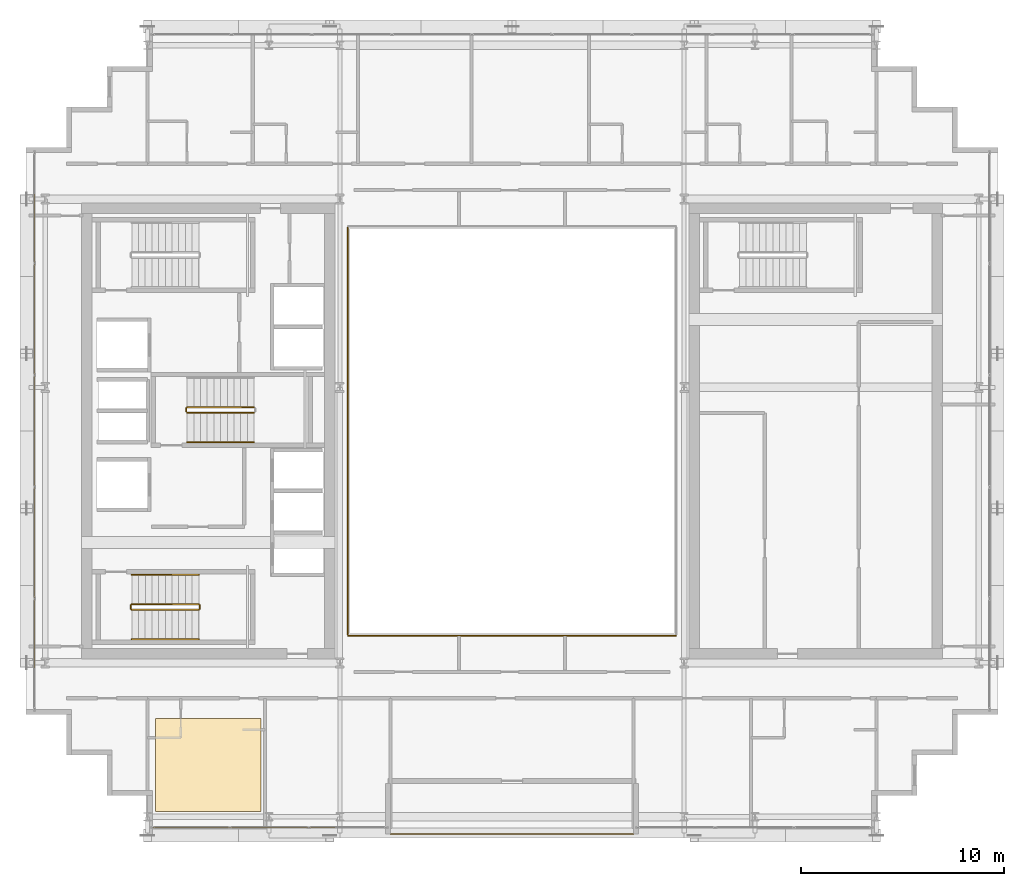
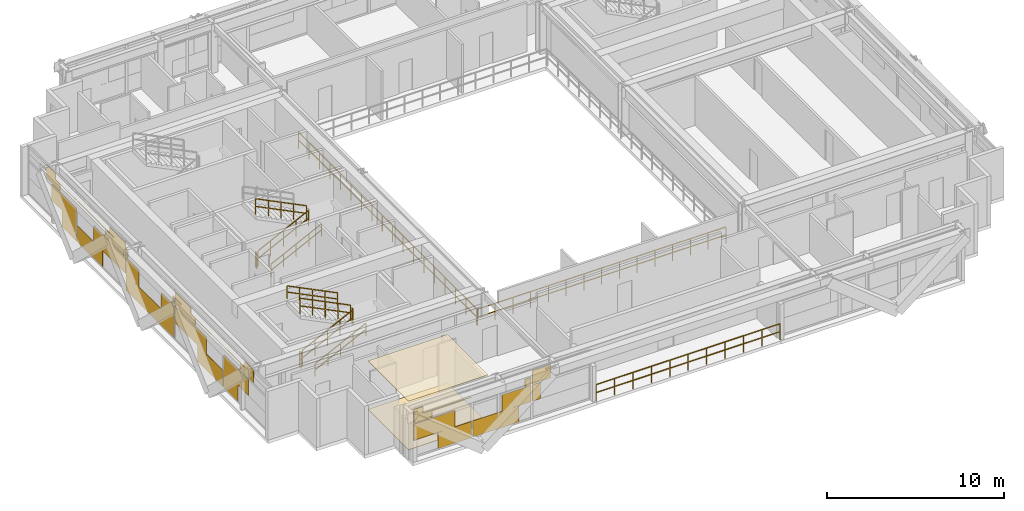
# One storey, part 29 of 32: 13 railings, 4 coverings.
"""IFC4 building model written with IfcOpenShell, lengths in metres."""

import ifcopenshell
import ifcopenshell.guid

model = None  # the IFC model being written
_history = None  # IfcOwnerHistory: only IFC2X3 demands one
_inside = {}  # id of a spatial element -> (the spatial element, [elements in it])
_under = {}  # id of a project, library or spatial element -> (it, [spatial elements below it])
_declared = {}  # id of a project -> (the project, [libraries it declares])
_typed = {}  # id of a type object -> (the type object, [elements of that type])
_made_of = {}  # id of a material, layer set ... -> (it, [elements and type objects made of it])


def new_model(schema):
    """Start an empty IFC model of exactly this schema.

    Asked for "IFC4X3", IfcOpenShell would pick the latest addendum, in which some entities
    have other attributes; the version numbers below select the first issue.
    IFC2X3 requires an IfcOwnerHistory on every rooted entity: one is made here for all.
    """
    global model, _history
    if schema == "IFC4X3":
        model = ifcopenshell.file(schema_version=(4, 3, 0, 0))
    else:
        model = ifcopenshell.file(schema=schema)
    _inside.clear()
    _under.clear()
    _declared.clear()
    _typed.clear()
    _made_of.clear()
    _history = None
    if model.schema == "IFC2X3":
        org = make("IfcOrganization", Name="unknown")
        user = make(
            "IfcPersonAndOrganization",
            ThePerson=make("IfcPerson", FamilyName="unknown"),
            TheOrganization=org,
        )
        app = make(
            "IfcApplication",
            ApplicationDeveloper=org,
            Version="unknown",
            ApplicationFullName="unknown",
            ApplicationIdentifier="unknown",
        )
        _history = make(
            "IfcOwnerHistory",
            OwningUser=user,
            OwningApplication=app,
            ChangeAction="ADDED",
            CreationDate=0,
        )
    return model


def make(cls, **values):
    """One entity of the class cls with the attributes given. An attribute that is None is left unset."""
    return model.create_entity(
        cls, **{name: value for name, value in values.items() if value is not None}
    )


def rooted(cls, **values):
    """An entity with a GlobalId (a new one), such as an element, a storey or a relation."""
    return make(cls, GlobalId=ifcopenshell.guid.new(), OwnerHistory=_history, **values)


def si_unit(unit_type, name, prefix=None):
    """IfcSIUnit, for example si_unit("LENGTHUNIT", "METRE", prefix="MILLI")."""
    return make("IfcSIUnit", UnitType=unit_type, Prefix=prefix, Name=name)


def assignment(units):
    """IfcUnitAssignment: the units of a project."""
    return None if units is None else make("IfcUnitAssignment", Units=units)


def point(xyz):
    """IfcCartesianPoint."""
    return None if xyz is None else make("IfcCartesianPoint", Coordinates=xyz)


def direction(xyz):
    """IfcDirection."""
    return None if xyz is None else make("IfcDirection", DirectionRatios=xyz)


def frame(location, z_axis=None, x_axis=None):
    """IfcAxis2Placement3D, a coordinate frame: its origin and axes. An axis left out is left unset."""
    return make(
        "IfcAxis2Placement3D",
        Location=point(location),
        Axis=direction(z_axis),
        RefDirection=direction(x_axis),
    )


def frame_2d(location, x_axis=None):
    """IfcAxis2Placement2D, a coordinate frame in the plane: its origin and x axis."""
    return make(
        "IfcAxis2Placement2D", Location=point(location), RefDirection=direction(x_axis)
    )


def origin():
    """The frame at (0, 0, 0) with its axes left unset."""
    return frame((0.0, 0.0, 0.0))


def origin_2d():
    """The frame at (0, 0) in the plane with its x axis left unset."""
    return frame_2d((0.0, 0.0))


def place(relative_to, where):
    """IfcLocalPlacement: puts the frame where relative to a parent placement (None: the world)."""
    return make(
        "IfcLocalPlacement", PlacementRelTo=relative_to, RelativePlacement=where
    )


def context(
    kind, dimensions, precision=None, world=None, true_north=None, identifier=None
):
    """IfcGeometricRepresentationContext, for example the 3D "Model" context."""
    return make(
        "IfcGeometricRepresentationContext",
        ContextIdentifier=identifier,
        ContextType=kind,
        CoordinateSpaceDimension=dimensions,
        Precision=precision,
        WorldCoordinateSystem=world,
        TrueNorth=true_north,
    )


def subcontext(parent, identifier, kind, view, scale=None):
    """IfcGeometricRepresentationSubContext, for example "Body" below "Model"."""
    return make(
        "IfcGeometricRepresentationSubContext",
        ContextIdentifier=identifier,
        ContextType=kind,
        ParentContext=parent,
        TargetScale=scale,
        TargetView=view,
    )


def project(units=None, contexts=None):
    """IfcProject with its units and contexts."""
    return rooted(
        "IfcProject",
        Name="project",
        RepresentationContexts=contexts,
        UnitsInContext=assignment(units),
    )


def spatial(cls, under=None, at=None, **own):
    """A site, building, storey or space (cls), placed at a placement, below another one or the project."""
    s = rooted(cls, ObjectPlacement=at, **own)
    if under is not None:
        _under.setdefault(under.id(), (under, []))[1].append(s)
    return s


def polyline(points):
    """IfcPolyline through the points."""
    return make("IfcPolyline", Points=[point(p) for p in points])


def profile(cls, at=None, kind="AREA", **sizes):
    """A parametric profile (cls). Its sizes go by their IFC names, for example OverallWidth=200.0."""
    return make(cls, ProfileType=kind, Position=at, **sizes)


def rectangle(**sizes):
    """IfcRectangleProfileDef."""
    return profile("IfcRectangleProfileDef", **sizes)


def outline(outer, holes=None, kind="AREA"):
    """IfcArbitraryClosedProfileDef: a profile drawn as a closed curve; with holes, ...WithVoids."""
    if holes is None:
        return make("IfcArbitraryClosedProfileDef", ProfileType=kind, OuterCurve=outer)
    return make(
        "IfcArbitraryProfileDefWithVoids",
        ProfileType=kind,
        OuterCurve=outer,
        InnerCurves=holes,
    )


def extrude(swept, where, along, depth):
    """IfcExtrudedAreaSolid: the profile swept, set in the frame where, extruded along a direction by depth."""
    return make(
        "IfcExtrudedAreaSolid",
        SweptArea=swept,
        Position=where,
        ExtrudedDirection=direction(along),
        Depth=depth,
    )


def shape(context_of_items, identifier, shape_type, items):
    """IfcShapeRepresentation: the items that make up one representation, for example the "Body"."""
    return make(
        "IfcShapeRepresentation",
        ContextOfItems=context_of_items,
        RepresentationIdentifier=identifier,
        RepresentationType=shape_type,
        Items=items,
    )


def material(Name=None, Category=None):
    """IfcMaterial."""
    return make("IfcMaterial", Name=Name, Category=Category)


def layer(
    of_material, thickness, ventilated=None, Name=None, Category=None, Priority=None
):
    """IfcMaterialLayer: one layer of a wall or slab, of a material (None: an air gap)."""
    return make(
        "IfcMaterialLayer",
        Material=of_material,
        LayerThickness=thickness,
        IsVentilated=ventilated,
        Name=Name,
        Category=Category,
        Priority=Priority,
    )


def layer_set(layers, Name=None):
    """IfcMaterialLayerSet."""
    return make("IfcMaterialLayerSet", MaterialLayers=layers, LayerSetName=Name)


def made_of(thing, what):
    """Note that an element or type object is made of a material, layer set ...; save() writes the relation."""
    if what is not None:
        _made_of.setdefault(what.id(), (what, []))[1].append(thing)
    return thing


def type_object(cls, material=None, **own):
    """A type object (cls), such as IfcWallType, which elements share."""
    return made_of(rooted(cls, **own), material)


def element(
    cls,
    number,
    at=None,
    inside=None,
    cuts=None,
    type_object=None,
    material=None,
    context=None,
    identifier="Body",
    shape_type=None,
    held_by="IfcProductDefinitionShape",
    body=None,
    shapes=None,
    **own,
):
    """One element of the class cls, such as IfcWall. Its Tag is "e" and its number.

    at: its placement. inside: the storey or other place that contains it. cuts: it is an
    opening in that element (IfcRelVoidsElement). A single representation is given by context,
    identifier, shape_type and body (its items); several are given by shapes. held_by: the class
    of the entity that holds the representations. save() writes the other relations.
    """
    e = rooted(cls, Tag="e%d" % number, ObjectPlacement=at, **own)
    if body is not None:
        shapes = [shape(context, identifier, shape_type, body)]
    if shapes is not None:
        e.Representation = make(held_by, Representations=shapes)
    if inside is not None:
        _inside.setdefault(inside.id(), (inside, []))[1].append(e)
    if cuts is not None:
        rooted(
            "IfcRelVoidsElement", RelatingBuildingElement=cuts, RelatedOpeningElement=e
        )
    if type_object is not None:
        _typed.setdefault(type_object.id(), (type_object, []))[1].append(e)
    return made_of(e, material)


def aggregate(whole, parts):
    """IfcRelAggregates: a whole, such as a stair, and the parts it consists of."""
    return rooted("IfcRelAggregates", RelatingObject=whole, RelatedObjects=parts)


def save(model, path):
    """Write the relations noted so far, then the file.

    IfcRelAggregates (storeys below a building ...), IfcRelContainedInSpatialStructure (elements
    in a storey), IfcRelDefinesByType, IfcRelAssociatesMaterial and IfcRelDeclares: one each for
    every whole, place, type object, material and project.
    """
    for whole, parts in _under.values():
        aggregate(whole, parts)
    for where, things in _inside.values():
        rooted(
            "IfcRelContainedInSpatialStructure",
            RelatedElements=things,
            RelatingStructure=where,
        )
    for kind, things in _typed.values():
        rooted("IfcRelDefinesByType", RelatedObjects=things, RelatingType=kind)
    for what, things in _made_of.values():
        rooted("IfcRelAssociatesMaterial", RelatedObjects=things, RelatingMaterial=what)
    for by, libraries in _declared.values():
        rooted("IfcRelDeclares", RelatingContext=by, RelatedDefinitions=libraries)
    model.write(path)


model = new_model("IFC4")

# Units and contexts
model_context = context("Model", 3, precision=1e-05, world=origin(), true_north=direction((0.0, 1.0)))
body_context = subcontext(model_context, "Body", "Model", "MODEL_VIEW")
ifc_project = project(units=[si_unit("LENGTHUNIT", "METRE"), si_unit("AREAUNIT", "SQUARE_METRE"), si_unit("VOLUMEUNIT", "CUBIC_METRE"), si_unit("PLANEANGLEUNIT", "RADIAN"), si_unit("MASSUNIT", "GRAM", prefix="KILO")], contexts=[model_context])

# Site, building, storey
site_placement = place(None, origin())
site = spatial("IfcSite", under=ifc_project, at=site_placement, CompositionType="ELEMENT")
building_placement = place(site_placement, origin())
building = spatial("IfcBuilding", under=site, at=building_placement, Name="Ocotamira Hotel", CompositionType="ELEMENT")
storey_placement = place(building_placement, frame((0.0, 0.0, 184.800048828125)))
storey = spatial("IfcBuildingStorey", under=building, at=storey_placement, Name="L46", CompositionType="ELEMENT", Elevation=184.800048828125)

# Coverings
ifc_material_1 = material(Name="Perforated acoustic gypsum ceiling board", Category="gypsum")
ifc_layer_1 = layer(ifc_material_1, 0.02490234375)
ifc_layer_set_1 = layer_set([ifc_layer_1], Name="Perforated acoustic gypsum ceiling board")
covering_type_1 = type_object("IfcCoveringType", Name="COV-CEIL-25", PredefinedType="CEILING", material=ifc_layer_set_1)
covering_1_placement = place(storey_placement, frame((0.0, 0.0, 3.344970703125)))
element("IfcCovering", 1, at=covering_1_placement, inside=storey, type_object=covering_type_1, Name="L46 Acoustic Ceiling", PredefinedType="CEILING", context=body_context, shape_type="SweptSolid", body=[
    extrude(outline(polyline([(14.39990234375, 7.199951171875), (19.60009765625, 7.199951171875), (19.60009765625, 11.800048828125), (14.39990234375, 11.800048828125), (14.39990234375, 7.199951171875)])), origin(), (0.0, 0.0, 1.0), 0.02490234375),
])
ifc_material_2 = material(Name="Honed desert travertine stone flooring", Category="masonry")
ifc_layer_2 = layer(ifc_material_2, 0.030029296875)
ifc_layer_set_2 = layer_set([ifc_layer_2], Name="Honed desert travertine stone flooring")
covering_type_2 = type_object("IfcCoveringType", Name="COV-FLOR-30", PredefinedType="FLOORING", material=ifc_layer_set_2)
covering_2_placement = place(storey_placement, origin())
element("IfcCovering", 2, at=covering_2_placement, inside=storey, type_object=covering_type_2, Name="L46 Honed Stone Floor Finish", PredefinedType="FLOORING", context=body_context, shape_type="SweptSolid", body=[
    extrude(outline(polyline([(14.39990234375, 7.199951171875), (19.60009765625, 7.199951171875), (19.60009765625, 11.800048828125), (14.39990234375, 11.800048828125), (14.39990234375, 7.199951171875)])), origin(), (0.0, 0.0, 1.0), 0.030029296875),
])
ifc_material_3 = material(Name="Insulated pale-metal aluminium spandrel panel", Category="aluminium")
ifc_layer_3 = layer(ifc_material_3, 0.044921875)
ifc_layer_set_3 = layer_set([ifc_layer_3], Name="Insulated pale-metal aluminium spandrel panel")
covering_type_3 = type_object("IfcCoveringType", Name="COV-INFILL-45", PredefinedType="CLADDING", material=ifc_layer_set_3)
covering_3_placement = place(storey_placement, origin())
element("IfcCovering", 3, at=covering_3_placement, inside=storey, type_object=covering_type_3, Name="L46 Curtain Wall Infill CW-4 CW-L46-S1", PredefinedType="CLADDING", context=body_context, shape_type="SweptSolid", body=[
    extrude(rectangle(XDim=2.68701171875, YDim=0.044921875, at=origin_2d()), frame((15.6240234375, 6.419921875, 1.19384765625), z_axis=(0.0, 0.0, 1.0), x_axis=(1.0, 0.0, 0.0)), (0.0, 0.0, 1.0), 1.117919921875),
    extrude(rectangle(XDim=2.19482421875, YDim=0.044921875, at=origin_2d()), frame((16.9453125, 6.419921875, 0.0751953125), z_axis=(0.0, 0.0, 1.0), x_axis=(1.0, 0.0, 0.0)), (0.0, 0.0, 1.0), 1.117919921875),
    extrude(rectangle(XDim=1.19482421875, YDim=0.044921875, at=origin_2d()), frame((14.8779296875, 6.419921875, 2.3876953125), z_axis=(0.0, 0.0, 1.0), x_axis=(1.0, 0.0, 0.0)), (0.0, 0.0, 1.0), 0.442626953125),
    extrude(rectangle(XDim=3.76220703125, YDim=0.044921875, at=origin_2d()), frame((16.16162109375, 6.419921875, 2.83154296875), z_axis=(0.0, 0.0, 1.0), x_axis=(1.0, 0.0, 0.0)), (0.0, 0.0, 1.0), 0.0302734375),
    extrude(rectangle(XDim=0.601318359375, YDim=0.044921875, at=origin_2d()), frame((14.581298828125, 6.419921875, 2.86279296875), z_axis=(0.0, 0.0, 1.0), x_axis=(1.0, 0.0, 0.0)), (0.0, 0.0, 1.0), 0.431640625),
    extrude(rectangle(XDim=3.028076171875, YDim=0.044921875, at=origin_2d()), frame((19.637939453125, 6.419921875, 0.0751953125), z_axis=(0.0, 0.0, 1.0), x_axis=(1.0, 0.0, 0.0)), (0.0, 0.0, 1.0), 1.117919921875),
    extrude(rectangle(XDim=1.893798828125, YDim=0.044921875, at=origin_2d()), frame((20.979248046875, 6.419921875, 1.19384765625), z_axis=(0.0, 0.0, 1.0), x_axis=(1.0, 0.0, 0.0)), (0.0, 0.0, 1.0), 1.117919921875),
    extrude(rectangle(XDim=0.401611328125, YDim=0.044921875, at=origin_2d()), frame((21.725341796875, 6.419921875, 2.3876953125), z_axis=(0.0, 0.0, 1.0), x_axis=(1.0, 0.0, 0.0)), (0.0, 0.0, 1.0), 0.473876953125),
    extrude(rectangle(XDim=0.543212890625, YDim=0.044921875, at=origin_2d()), frame((22.27880859375, 6.419921875, 1.19384765625), z_axis=(0.0, 0.0, 1.0), x_axis=(1.0, 0.0, 0.0)), (0.0, 0.0, 1.0), 1.117919921875),
    extrude(rectangle(XDim=1.19140625, YDim=0.044921875, at=origin_2d()), frame((22.602783203125, 6.419921875, 2.3876953125), z_axis=(0.0, 0.0, 1.0), x_axis=(1.0, 0.0, 0.0)), (0.0, 0.0, 1.0), 0.442626953125),
    extrude(rectangle(XDim=1.23046875, YDim=0.044921875, at=origin_2d()), frame((22.622314453125, 6.419921875, 2.83154296875), z_axis=(0.0, 0.0, 1.0), x_axis=(1.0, 0.0, 0.0)), (0.0, 0.0, 1.0), 0.462890625),
])
covering_4_placement = place(storey_placement, origin())
element("IfcCovering", 4, at=covering_4_placement, inside=storey, type_object=covering_type_3, Name="L46 Curtain Wall Infill CW-4 CW-L46-W", PredefinedType="CLADDING", context=body_context, shape_type="SweptSolid", body=[
    extrude(rectangle(XDim=2.782958984375, YDim=0.044921875, at=origin_2d()), frame((8.419921875, 16.2880859375, 1.19384765625), z_axis=(0.0, 0.0, 1.0), x_axis=(0.0, 1.0, 0.0)), (0.0, 0.0, 1.0), 1.117919921875),
    extrude(rectangle(XDim=1.596923828125, YDim=0.044921875, at=origin_2d()), frame((8.419921875, 16.881103515625, 0.0751953125), z_axis=(0.0, 0.0, 1.0), x_axis=(0.0, 1.0, 0.0)), (0.0, 0.0, 1.0), 1.117919921875),
    extrude(rectangle(XDim=3.38720703125, YDim=0.044921875, at=origin_2d()), frame((8.419921875, 15.98583984375, 2.8486328125), z_axis=(0.0, 0.0, 1.0), x_axis=(0.0, 1.0, 0.0)), (0.0, 0.0, 1.0), 0.033203125),
    extrude(rectangle(XDim=1.019287109375, YDim=0.044921875, at=origin_2d()), frame((8.419921875, 14.8017578125, 2.883056640625), z_axis=(0.0, 0.0, 1.0), x_axis=(0.0, 1.0, 0.0)), (0.0, 0.0, 1.0), 0.41162109375),
    extrude(rectangle(XDim=1.507568359375, YDim=0.044921875, at=origin_2d()), frame((8.419921875, 15.082275390625, 2.38818359375), z_axis=(0.0, 0.0, 1.0), x_axis=(0.0, 1.0, 0.0)), (0.0, 0.0, 1.0), 0.459716796875),
    extrude(rectangle(XDim=2.89013671875, YDim=0.044921875, at=origin_2d()), frame((8.419921875, 19.20556640625, 0.0751953125), z_axis=(0.0, 0.0, 1.0), x_axis=(0.0, 1.0, 0.0)), (0.0, 0.0, 1.0), 1.117919921875),
    extrude(rectangle(XDim=3.568115234375, YDim=0.044921875, at=origin_2d()), frame((8.419921875, 21.41552734375, 1.19384765625), z_axis=(0.0, 0.0, 1.0), x_axis=(0.0, 1.0, 0.0)), (0.0, 0.0, 1.0), 1.117919921875),
    extrude(rectangle(XDim=5.43896484375, YDim=0.044921875, at=origin_2d()), frame((8.419921875, 20.47998046875, 2.8486328125), z_axis=(0.0, 0.0, 1.0), x_axis=(0.0, 1.0, 0.0)), (0.0, 0.0, 1.0), 0.033203125),
    extrude(rectangle(XDim=2.302490234375, YDim=0.044921875, at=origin_2d()), frame((8.419921875, 22.04833984375, 2.38818359375), z_axis=(0.0, 0.0, 1.0), x_axis=(0.0, 1.0, 0.0)), (0.0, 0.0, 1.0), 0.459716796875),
    extrude(rectangle(XDim=1.777587890625, YDim=0.044921875, at=origin_2d()), frame((8.419921875, 22.310791015625, 2.883056640625), z_axis=(0.0, 0.0, 1.0), x_axis=(0.0, 1.0, 0.0)), (0.0, 0.0, 1.0), 0.41162109375),
    extrude(rectangle(XDim=5.43896484375, YDim=0.044921875, at=origin_2d()), frame((8.419921875, 26.0, 0.0751953125), z_axis=(0.0, 0.0, 1.0), x_axis=(0.0, 1.0, 0.0)), (0.0, 0.0, 1.0), 1.117919921875),
    extrude(rectangle(XDim=1.45458984375, YDim=0.044921875, at=origin_2d()), frame((8.419921875, 24.0078125, 1.19384765625), z_axis=(0.0, 0.0, 1.0), x_axis=(0.0, 1.0, 0.0)), (0.0, 0.0, 1.0), 1.117919921875),
    extrude(rectangle(XDim=1.45458984375, YDim=0.044921875, at=origin_2d()), frame((8.419921875, 27.9921875, 1.19384765625), z_axis=(0.0, 0.0, 1.0), x_axis=(0.0, 1.0, 0.0)), (0.0, 0.0, 1.0), 1.117919921875),
    extrude(rectangle(XDim=0.18896484375, YDim=0.044921875, at=origin_2d()), frame((8.419921875, 23.375, 2.38818359375), z_axis=(0.0, 0.0, 1.0), x_axis=(0.0, 1.0, 0.0)), (0.0, 0.0, 1.0), 0.493896484375),
    extrude(rectangle(XDim=0.18896484375, YDim=0.044921875, at=origin_2d()), frame((8.419921875, 28.625, 2.38818359375), z_axis=(0.0, 0.0, 1.0), x_axis=(0.0, 1.0, 0.0)), (0.0, 0.0, 1.0), 0.493896484375),
    extrude(rectangle(XDim=3.568115234375, YDim=0.044921875, at=origin_2d()), frame((8.419921875, 30.58447265625, 1.19384765625), z_axis=(0.0, 0.0, 1.0), x_axis=(0.0, 1.0, 0.0)), (0.0, 0.0, 1.0), 1.117919921875),
    extrude(rectangle(XDim=2.89013671875, YDim=0.044921875, at=origin_2d()), frame((8.419921875, 32.79443359375, 0.0751953125), z_axis=(0.0, 0.0, 1.0), x_axis=(0.0, 1.0, 0.0)), (0.0, 0.0, 1.0), 1.117919921875),
    extrude(rectangle(XDim=2.302490234375, YDim=0.044921875, at=origin_2d()), frame((8.419921875, 29.95166015625, 2.38818359375), z_axis=(0.0, 0.0, 1.0), x_axis=(0.0, 1.0, 0.0)), (0.0, 0.0, 1.0), 0.459716796875),
    extrude(rectangle(XDim=5.43896484375, YDim=0.044921875, at=origin_2d()), frame((8.419921875, 31.52001953125, 2.8486328125), z_axis=(0.0, 0.0, 1.0), x_axis=(0.0, 1.0, 0.0)), (0.0, 0.0, 1.0), 0.033203125),
    extrude(rectangle(XDim=1.777587890625, YDim=0.044921875, at=origin_2d()), frame((8.419921875, 29.689208984375, 2.883056640625), z_axis=(0.0, 0.0, 1.0), x_axis=(0.0, 1.0, 0.0)), (0.0, 0.0, 1.0), 0.41162109375),
    extrude(rectangle(XDim=1.596923828125, YDim=0.044921875, at=origin_2d()), frame((8.419921875, 35.118896484375, 0.0751953125), z_axis=(0.0, 0.0, 1.0), x_axis=(0.0, 1.0, 0.0)), (0.0, 0.0, 1.0), 1.117919921875),
    extrude(rectangle(XDim=2.782958984375, YDim=0.044921875, at=origin_2d()), frame((8.419921875, 35.7119140625, 1.19384765625), z_axis=(0.0, 0.0, 1.0), x_axis=(0.0, 1.0, 0.0)), (0.0, 0.0, 1.0), 1.117919921875),
    extrude(rectangle(XDim=3.38720703125, YDim=0.044921875, at=origin_2d()), frame((8.419921875, 36.01416015625, 2.8486328125), z_axis=(0.0, 0.0, 1.0), x_axis=(0.0, 1.0, 0.0)), (0.0, 0.0, 1.0), 0.033203125),
    extrude(rectangle(XDim=1.507568359375, YDim=0.044921875, at=origin_2d()), frame((8.419921875, 36.917724609375, 2.38818359375), z_axis=(0.0, 0.0, 1.0), x_axis=(0.0, 1.0, 0.0)), (0.0, 0.0, 1.0), 0.459716796875),
    extrude(rectangle(XDim=1.019287109375, YDim=0.044921875, at=origin_2d()), frame((8.419921875, 37.1982421875, 2.883056640625), z_axis=(0.0, 0.0, 1.0), x_axis=(0.0, 1.0, 0.0)), (0.0, 0.0, 1.0), 0.41162109375),
])

# Railings
ifc_material_4 = material(Name="Laminated glass and pale-metal balustrade", Category="glass")
railing_type_1 = type_object("IfcRailingType", Name="RL-BAL-1150", PredefinedType="BALUSTRADE", material=ifc_material_4)
railing_1_placement = place(storey_placement, frame((26.0, 6.10009765625, 0.0)))
element("IfcRailing", 5, at=railing_1_placement, inside=storey, type_object=railing_type_1, Name="L46 Sky Terrace Balustrade 1", PredefinedType="BALUSTRADE", context=body_context, shape_type="SweptSolid", body=[
    extrude(rectangle(XDim=0.048095703125, YDim=0.048095703125, at=origin_2d()), frame((0.0, 0.0, 1.1259765625), z_axis=(1.0, 0.0, 0.0), x_axis=(0.0, 1.0, 0.0)), (0.0, 0.0, 1.0), 12.0),
    extrude(rectangle(XDim=0.048095703125, YDim=0.048095703125, at=origin_2d()), frame((0.0, 0.0, 0.574951171875), z_axis=(1.0, 0.0, 0.0), x_axis=(0.0, 1.0, 0.0)), (0.0, 0.0, 1.0), 12.0),
    extrude(rectangle(XDim=0.0419921875, YDim=0.0419921875, at=origin_2d()), origin(), (0.0, 0.0, 1.0), 1.101806640625),
    extrude(rectangle(XDim=0.0419921875, YDim=0.0419921875, at=origin_2d()), frame((1.199951171875, 0.0, 0.0)), (0.0, 0.0, 1.0), 1.101806640625),
    extrude(rectangle(XDim=0.0419921875, YDim=0.0419921875, at=origin_2d()), frame((2.39990234375, 0.0, 0.0)), (0.0, 0.0, 1.0), 1.101806640625),
    extrude(rectangle(XDim=0.0419921875, YDim=0.0419921875, at=origin_2d()), frame((3.60009765625, 0.0, 0.0)), (0.0, 0.0, 1.0), 1.101806640625),
    extrude(rectangle(XDim=0.0419921875, YDim=0.0419921875, at=origin_2d()), frame((4.800048828125, 0.0, 0.0)), (0.0, 0.0, 1.0), 1.101806640625),
    extrude(rectangle(XDim=0.0419921875, YDim=0.0419921875, at=origin_2d()), frame((6.0, 0.0, 0.0)), (0.0, 0.0, 1.0), 1.101806640625),
    extrude(rectangle(XDim=0.0419921875, YDim=0.0419921875, at=origin_2d()), frame((7.199951171875, 0.0, 0.0)), (0.0, 0.0, 1.0), 1.101806640625),
    extrude(rectangle(XDim=0.0419921875, YDim=0.0419921875, at=origin_2d()), frame((8.39990234375, 0.0, 0.0)), (0.0, 0.0, 1.0), 1.101806640625),
    extrude(rectangle(XDim=0.0419921875, YDim=0.0419921875, at=origin_2d()), frame((9.60009765625, 0.0, 0.0)), (0.0, 0.0, 1.0), 1.101806640625),
    extrude(rectangle(XDim=0.0419921875, YDim=0.0419921875, at=origin_2d()), frame((10.800048828125, 0.0, 0.0)), (0.0, 0.0, 1.0), 1.101806640625),
    extrude(rectangle(XDim=0.0419921875, YDim=0.0419921875, at=origin_2d()), frame((12.0, 0.0, 0.0)), (0.0, 0.0, 1.0), 1.101806640625),
])
ifc_material_5 = material(Name="Painted steel stair guardrail", Category="steel")
railing_type_2 = type_object("IfcRailingType", Name="RL-EDGE-1150", PredefinedType="GUARDRAIL", material=ifc_material_5)
railing_2_placement = place(storey_placement, frame((23.89990234375, 15.8798828125, 0.0)))
element("IfcRailing", 6, at=railing_2_placement, inside=storey, type_object=railing_type_2, Name="L46 Central Atrium Edge Guardrail S", PredefinedType="GUARDRAIL", context=body_context, shape_type="SweptSolid", body=[
    extrude(rectangle(XDim=0.048095703125, YDim=0.048095703125, at=origin_2d()), frame((0.0, 0.0, 1.1259765625), z_axis=(1.0, 0.0, 0.0), x_axis=(0.0, 1.0, 0.0)), (0.0, 0.0, 1.0), 16.2001953125),
    extrude(rectangle(XDim=0.048095703125, YDim=0.048095703125, at=origin_2d()), frame((0.0, 0.0, 0.574951171875), z_axis=(1.0, 0.0, 0.0), x_axis=(0.0, 1.0, 0.0)), (0.0, 0.0, 1.0), 16.2001953125),
    extrude(rectangle(XDim=0.0419921875, YDim=0.0419921875, at=origin_2d()), origin(), (0.0, 0.0, 1.0), 1.101806640625),
    extrude(rectangle(XDim=0.0419921875, YDim=0.0419921875, at=origin_2d()), frame((1.1572265625, 0.0, 0.0)), (0.0, 0.0, 1.0), 1.101806640625),
    extrude(rectangle(XDim=0.0419921875, YDim=0.0419921875, at=origin_2d()), frame((2.314208984375, 0.0, 0.0)), (0.0, 0.0, 1.0), 1.101806640625),
    extrude(rectangle(XDim=0.0419921875, YDim=0.0419921875, at=origin_2d()), frame((3.471435546875, 0.0, 0.0)), (0.0, 0.0, 1.0), 1.101806640625),
    extrude(rectangle(XDim=0.0419921875, YDim=0.0419921875, at=origin_2d()), frame((4.628662109375, 0.0, 0.0)), (0.0, 0.0, 1.0), 1.101806640625),
    extrude(rectangle(XDim=0.0419921875, YDim=0.0419921875, at=origin_2d()), frame((5.785888671875, 0.0, 0.0)), (0.0, 0.0, 1.0), 1.101806640625),
    extrude(rectangle(XDim=0.0419921875, YDim=0.0419921875, at=origin_2d()), frame((6.94287109375, 0.0, 0.0)), (0.0, 0.0, 1.0), 1.101806640625),
    extrude(rectangle(XDim=0.0419921875, YDim=0.0419921875, at=origin_2d()), frame((8.10009765625, 0.0, 0.0)), (0.0, 0.0, 1.0), 1.101806640625),
    extrude(rectangle(XDim=0.0419921875, YDim=0.0419921875, at=origin_2d()), frame((9.25732421875, 0.0, 0.0)), (0.0, 0.0, 1.0), 1.101806640625),
    extrude(rectangle(XDim=0.0419921875, YDim=0.0419921875, at=origin_2d()), frame((10.414306640625, 0.0, 0.0)), (0.0, 0.0, 1.0), 1.101806640625),
    extrude(rectangle(XDim=0.0419921875, YDim=0.0419921875, at=origin_2d()), frame((11.571533203125, 0.0, 0.0)), (0.0, 0.0, 1.0), 1.101806640625),
    extrude(rectangle(XDim=0.0419921875, YDim=0.0419921875, at=origin_2d()), frame((12.728759765625, 0.0, 0.0)), (0.0, 0.0, 1.0), 1.101806640625),
    extrude(rectangle(XDim=0.0419921875, YDim=0.0419921875, at=origin_2d()), frame((13.885986328125, 0.0, 0.0)), (0.0, 0.0, 1.0), 1.101806640625),
    extrude(rectangle(XDim=0.0419921875, YDim=0.0419921875, at=origin_2d()), frame((15.04296875, 0.0, 0.0)), (0.0, 0.0, 1.0), 1.101806640625),
    extrude(rectangle(XDim=0.0419921875, YDim=0.0419921875, at=origin_2d()), frame((16.2001953125, 0.0, 0.0)), (0.0, 0.0, 1.0), 1.101806640625),
])
railing_3_placement = place(storey_placement, frame((23.8798828125, 36.0400390625, 0.0)))
element("IfcRailing", 7, at=railing_3_placement, inside=storey, type_object=railing_type_2, Name="L46 Central Atrium Edge Guardrail W", PredefinedType="GUARDRAIL", context=body_context, shape_type="SweptSolid", body=[
    extrude(rectangle(XDim=0.048095703125, YDim=0.048095703125, at=origin_2d()), frame((0.0, 0.0, 1.1259765625), z_axis=(0.0, -1.0, 0.0), x_axis=(1.0, 0.0, 0.0)), (0.0, 0.0, 1.0), 20.080078125),
    extrude(rectangle(XDim=0.048095703125, YDim=0.048095703125, at=origin_2d()), frame((0.0, 0.0, 0.574951171875), z_axis=(0.0, -1.0, 0.0), x_axis=(1.0, 0.0, 0.0)), (0.0, 0.0, 1.0), 20.080078125),
    extrude(rectangle(XDim=0.0419921875, YDim=0.0419921875, at=origin_2d()), origin(), (0.0, 0.0, 1.0), 1.101806640625),
    extrude(rectangle(XDim=0.0419921875, YDim=0.0419921875, at=origin_2d()), frame((0.0, -1.18115234375, 0.0)), (0.0, 0.0, 1.0), 1.101806640625),
    extrude(rectangle(XDim=0.0419921875, YDim=0.0419921875, at=origin_2d()), frame((0.0, -2.3623046875, 0.0)), (0.0, 0.0, 1.0), 1.101806640625),
    extrude(rectangle(XDim=0.0419921875, YDim=0.0419921875, at=origin_2d()), frame((0.0, -3.54345703125, 0.0)), (0.0, 0.0, 1.0), 1.101806640625),
    extrude(rectangle(XDim=0.0419921875, YDim=0.0419921875, at=origin_2d()), frame((0.0, -4.724609375, 0.0)), (0.0, 0.0, 1.0), 1.101806640625),
    extrude(rectangle(XDim=0.0419921875, YDim=0.0419921875, at=origin_2d()), frame((0.0, -5.906005859375, 0.0)), (0.0, 0.0, 1.0), 1.101806640625),
    extrude(rectangle(XDim=0.0419921875, YDim=0.0419921875, at=origin_2d()), frame((0.0, -7.087158203125, 0.0)), (0.0, 0.0, 1.0), 1.101806640625),
    extrude(rectangle(XDim=0.0419921875, YDim=0.0419921875, at=origin_2d()), frame((0.0, -8.268310546875, 0.0)), (0.0, 0.0, 1.0), 1.101806640625),
    extrude(rectangle(XDim=0.0419921875, YDim=0.0419921875, at=origin_2d()), frame((0.0, -9.449462890625, 0.0)), (0.0, 0.0, 1.0), 1.101806640625),
    extrude(rectangle(XDim=0.0419921875, YDim=0.0419921875, at=origin_2d()), frame((0.0, -10.630615234375, 0.0)), (0.0, 0.0, 1.0), 1.101806640625),
    extrude(rectangle(XDim=0.0419921875, YDim=0.0419921875, at=origin_2d()), frame((0.0, -11.811767578125, 0.0)), (0.0, 0.0, 1.0), 1.101806640625),
    extrude(rectangle(XDim=0.0419921875, YDim=0.0419921875, at=origin_2d()), frame((0.0, -12.992919921875, 0.0)), (0.0, 0.0, 1.0), 1.101806640625),
    extrude(rectangle(XDim=0.0419921875, YDim=0.0419921875, at=origin_2d()), frame((0.0, -14.174072265625, 0.0)), (0.0, 0.0, 1.0), 1.101806640625),
    extrude(rectangle(XDim=0.0419921875, YDim=0.0419921875, at=origin_2d()), frame((0.0, -15.35546875, 0.0)), (0.0, 0.0, 1.0), 1.101806640625),
    extrude(rectangle(XDim=0.0419921875, YDim=0.0419921875, at=origin_2d()), frame((0.0, -16.53662109375, 0.0)), (0.0, 0.0, 1.0), 1.101806640625),
    extrude(rectangle(XDim=0.0419921875, YDim=0.0419921875, at=origin_2d()), frame((0.0, -17.7177734375, 0.0)), (0.0, 0.0, 1.0), 1.101806640625),
    extrude(rectangle(XDim=0.0419921875, YDim=0.0419921875, at=origin_2d()), frame((0.0, -18.89892578125, 0.0)), (0.0, 0.0, 1.0), 1.101806640625),
    extrude(rectangle(XDim=0.0419921875, YDim=0.0419921875, at=origin_2d()), frame((0.0, -20.080078125, 0.0)), (0.0, 0.0, 1.0), 1.101806640625),
])
ifc_material_6 = material(Name="Brushed stainless steel handrail", Category="steel")
railing_type_3 = type_object("IfcRailingType", Name="RL-HAND-900", PredefinedType="HANDRAIL", material=ifc_material_6)
railing_4_placement = place(storey_placement, frame((13.22998046875, 15.719970703125, 0.3271484375)))
element("IfcRailing", 8, at=railing_4_placement, inside=storey, type_object=railing_type_3, Name="L46 ST-1 stair handrail 1", PredefinedType="HANDRAIL", context=body_context, shape_type="SweptSolid", body=[
    extrude(rectangle(XDim=0.048095703125, YDim=0.048095703125, at=origin_2d()), frame((0.0, 0.0, 0.8759765625), z_axis=(0.895893744519, 0.0, 0.4442683857), x_axis=(0.0, 1.0, 0.0)), (0.0, 0.0, 1.0), 3.68359375),
    extrude(rectangle(XDim=0.048095703125, YDim=0.048095703125, at=origin_2d()), frame((0.0, 0.0, 0.449951171875), z_axis=(0.895893744519, 0.0, 0.4442683857), x_axis=(0.0, 1.0, 0.0)), (0.0, 0.0, 1.0), 3.68359375),
    extrude(rectangle(XDim=0.0419921875, YDim=0.0419921875, at=origin_2d()), origin(), (0.0, 0.0, 1.0), 0.851806640625),
    extrude(rectangle(XDim=0.0419921875, YDim=0.0419921875, at=origin_2d()), frame((0.824951171875, 0.0, 0.4091796875)), (0.0, 0.0, 1.0), 0.851806640625),
    extrude(rectangle(XDim=0.0419921875, YDim=0.0419921875, at=origin_2d()), frame((1.64990234375, 0.0, 0.818359375)), (0.0, 0.0, 1.0), 0.851806640625),
    extrude(rectangle(XDim=0.0419921875, YDim=0.0419921875, at=origin_2d()), frame((2.47509765625, 0.0, 1.227294921875)), (0.0, 0.0, 1.0), 0.851806640625),
    extrude(rectangle(XDim=0.0419921875, YDim=0.0419921875, at=origin_2d()), frame((3.300048828125, 0.0, 1.636474609375)), (0.0, 0.0, 1.0), 0.851806640625),
])
railing_5_placement = place(storey_placement, frame((16.530029296875, 18.89990234375, 2.127197265625)))
element("IfcRailing", 9, at=railing_5_placement, inside=storey, type_object=railing_type_3, Name="L46 ST-1 stair handrail 2", PredefinedType="HANDRAIL", context=body_context, shape_type="SweptSolid", body=[
    extrude(rectangle(XDim=0.048095703125, YDim=0.048095703125, at=origin_2d()), frame((0.0, 0.0, 0.8759765625), z_axis=(-0.895893744519, 0.0, 0.4442683857), x_axis=(0.0, -1.0, 0.0)), (0.0, 0.0, 1.0), 3.68359375),
    extrude(rectangle(XDim=0.048095703125, YDim=0.048095703125, at=origin_2d()), frame((0.0, 0.0, 0.449951171875), z_axis=(-0.895893744519, 0.0, 0.4442683857), x_axis=(0.0, -1.0, 0.0)), (0.0, 0.0, 1.0), 3.68359375),
    extrude(rectangle(XDim=0.0419921875, YDim=0.0419921875, at=origin_2d()), origin(), (0.0, 0.0, 1.0), 0.851806640625),
    extrude(rectangle(XDim=0.0419921875, YDim=0.0419921875, at=origin_2d()), frame((-0.824951171875, 0.0, 0.4091796875)), (0.0, 0.0, 1.0), 0.851806640625),
    extrude(rectangle(XDim=0.0419921875, YDim=0.0419921875, at=origin_2d()), frame((-1.64990234375, 0.0, 0.818359375)), (0.0, 0.0, 1.0), 0.851806640625),
    extrude(rectangle(XDim=0.0419921875, YDim=0.0419921875, at=origin_2d()), frame((-2.47509765625, 0.0, 1.227294921875)), (0.0, 0.0, 1.0), 0.851806640625),
    extrude(rectangle(XDim=0.0419921875, YDim=0.0419921875, at=origin_2d()), frame((-3.300048828125, 0.0, 1.636474609375)), (0.0, 0.0, 1.0), 0.851806640625),
])
railing_6_placement = place(storey_placement, frame((15.9599609375, 25.449951171875, 0.3271484375)))
element("IfcRailing", 10, at=railing_6_placement, inside=storey, type_object=railing_type_3, Name="L46 ST-3 stair handrail 1", PredefinedType="HANDRAIL", context=body_context, shape_type="SweptSolid", body=[
    extrude(rectangle(XDim=0.048095703125, YDim=0.048095703125, at=origin_2d()), frame((0.0, 0.0, 0.8759765625), z_axis=(0.895893744519, 0.0, 0.4442683857), x_axis=(0.0, 1.0, 0.0)), (0.0, 0.0, 1.0), 3.68359375),
    extrude(rectangle(XDim=0.048095703125, YDim=0.048095703125, at=origin_2d()), frame((0.0, 0.0, 0.449951171875), z_axis=(0.895893744519, 0.0, 0.4442683857), x_axis=(0.0, 1.0, 0.0)), (0.0, 0.0, 1.0), 3.68359375),
    extrude(rectangle(XDim=0.0419921875, YDim=0.0419921875, at=origin_2d()), origin(), (0.0, 0.0, 1.0), 0.851806640625),
    extrude(rectangle(XDim=0.0419921875, YDim=0.0419921875, at=origin_2d()), frame((0.824951171875, 0.0, 0.4091796875)), (0.0, 0.0, 1.0), 0.851806640625),
    extrude(rectangle(XDim=0.0419921875, YDim=0.0419921875, at=origin_2d()), frame((1.64990234375, 0.0, 0.818359375)), (0.0, 0.0, 1.0), 0.851806640625),
    extrude(rectangle(XDim=0.0419921875, YDim=0.0419921875, at=origin_2d()), frame((2.47509765625, 0.0, 1.227294921875)), (0.0, 0.0, 1.0), 0.851806640625),
    extrude(rectangle(XDim=0.0419921875, YDim=0.0419921875, at=origin_2d()), frame((3.300048828125, 0.0, 1.636474609375)), (0.0, 0.0, 1.0), 0.851806640625),
])
railing_type_4 = type_object("IfcRailingType", Name="RL-STAIR-1100", PredefinedType="GUARDRAIL", material=ifc_material_5)
railing_7_placement = place(storey_placement, frame((13.22998046875, 17.179931640625, 0.16357421875)))
element("IfcRailing", 11, at=railing_7_placement, inside=storey, type_object=railing_type_4, Name="L46 ST-1 stair guard 1", PredefinedType="GUARDRAIL", context=body_context, shape_type="SweptSolid", body=[
    extrude(rectangle(XDim=0.048095703125, YDim=0.048095703125, at=origin_2d()), frame((0.0, 0.0, 1.076171875), z_axis=(0.895893744519, 0.0, 0.4442683857), x_axis=(0.0, 1.0, 0.0)), (0.0, 0.0, 1.0), 3.68359375),
    extrude(rectangle(XDim=0.048095703125, YDim=0.048095703125, at=origin_2d()), frame((0.0, 0.0, 0.550048828125), z_axis=(0.895893744519, 0.0, 0.4442683857), x_axis=(0.0, 1.0, 0.0)), (0.0, 0.0, 1.0), 3.68359375),
    extrude(rectangle(XDim=0.0419921875, YDim=0.0419921875, at=origin_2d()), origin(), (0.0, 0.0, 1.0), 1.052001953125),
    extrude(rectangle(XDim=0.0419921875, YDim=0.0419921875, at=origin_2d()), frame((0.824951171875, 0.0, 0.4091796875)), (0.0, 0.0, 1.0), 1.052001953125),
    extrude(rectangle(XDim=0.0419921875, YDim=0.0419921875, at=origin_2d()), frame((1.64990234375, 0.0, 0.818359375)), (0.0, 0.0, 1.0), 1.052001953125),
    extrude(rectangle(XDim=0.0419921875, YDim=0.0419921875, at=origin_2d()), frame((2.47509765625, 0.0, 1.227294921875)), (0.0, 0.0, 1.0), 1.052001953125),
    extrude(rectangle(XDim=0.0419921875, YDim=0.0419921875, at=origin_2d()), frame((3.300048828125, 0.0, 1.636474609375)), (0.0, 0.0, 1.0), 1.052001953125),
])
railing_8_placement = place(storey_placement, frame((16.580078125, 17.22998046875, 1.800048828125)))
element("IfcRailing", 12, at=railing_8_placement, inside=storey, type_object=railing_type_4, Name="L46 ST-1 stair guard 2", PredefinedType="GUARDRAIL", context=body_context, shape_type="SweptSolid", body=[
    extrude(rectangle(XDim=0.048095703125, YDim=0.048095703125, at=origin_2d()), frame((0.0, 0.0, 1.076171875), z_axis=(0.0, 1.0, 0.0), x_axis=(-1.0, 0.0, 0.0)), (0.0, 0.0, 1.0), 0.159912109375),
    extrude(rectangle(XDim=0.048095703125, YDim=0.048095703125, at=origin_2d()), frame((0.0, 0.0, 0.550048828125), z_axis=(0.0, 1.0, 0.0), x_axis=(-1.0, 0.0, 0.0)), (0.0, 0.0, 1.0), 0.159912109375),
    extrude(rectangle(XDim=0.0419921875, YDim=0.0419921875, at=origin_2d()), origin(), (0.0, 0.0, 1.0), 1.052001953125),
    extrude(rectangle(XDim=0.0419921875, YDim=0.0419921875, at=origin_2d()), frame((0.0, 0.159912109375, 0.0)), (0.0, 0.0, 1.0), 1.052001953125),
])
railing_9_placement = place(storey_placement, frame((16.530029296875, 17.43994140625, 1.963623046875)))
element("IfcRailing", 13, at=railing_9_placement, inside=storey, type_object=railing_type_4, Name="L46 ST-1 stair guard 3", PredefinedType="GUARDRAIL", context=body_context, shape_type="SweptSolid", body=[
    extrude(rectangle(XDim=0.048095703125, YDim=0.048095703125, at=origin_2d()), frame((0.0, 0.0, 1.076171875), z_axis=(-0.895920123917, 0.0, 0.444215186098), x_axis=(0.0, -1.0, 0.0)), (0.0, 0.0, 1.0), 3.683349609375),
    extrude(rectangle(XDim=0.048095703125, YDim=0.048095703125, at=origin_2d()), frame((0.0, 0.0, 0.550048828125), z_axis=(-0.895920123917, 0.0, 0.444215186098), x_axis=(0.0, -1.0, 0.0)), (0.0, 0.0, 1.0), 3.683349609375),
    extrude(rectangle(XDim=0.0419921875, YDim=0.0419921875, at=origin_2d()), origin(), (0.0, 0.0, 1.0), 1.052001953125),
    extrude(rectangle(XDim=0.0419921875, YDim=0.0419921875, at=origin_2d()), frame((-0.824951171875, 0.0, 0.4091796875)), (0.0, 0.0, 1.0), 1.052001953125),
    extrude(rectangle(XDim=0.0419921875, YDim=0.0419921875, at=origin_2d()), frame((-1.64990234375, 0.0, 0.818115234375)), (0.0, 0.0, 1.0), 1.052001953125),
    extrude(rectangle(XDim=0.0419921875, YDim=0.0419921875, at=origin_2d()), frame((-2.47509765625, 0.0, 1.22705078125)), (0.0, 0.0, 1.0), 1.052001953125),
    extrude(rectangle(XDim=0.0419921875, YDim=0.0419921875, at=origin_2d()), frame((-3.300048828125, 0.0, 1.63623046875)), (0.0, 0.0, 1.0), 1.052001953125),
])
railing_10_placement = place(storey_placement, frame((13.179931640625, 17.22998046875, 0.0)))
element("IfcRailing", 14, at=railing_10_placement, inside=storey, type_object=railing_type_4, Name="L46 ST-1 stair guard 4", PredefinedType="GUARDRAIL", context=body_context, shape_type="SweptSolid", body=[
    extrude(rectangle(XDim=0.048095703125, YDim=0.048095703125, at=origin_2d()), frame((0.0, 0.0, 1.076171875), z_axis=(0.0, 1.0, 0.0), x_axis=(-1.0, 0.0, 0.0)), (0.0, 0.0, 1.0), 0.159912109375),
    extrude(rectangle(XDim=0.048095703125, YDim=0.048095703125, at=origin_2d()), frame((0.0, 0.0, 0.550048828125), z_axis=(0.0, 1.0, 0.0), x_axis=(-1.0, 0.0, 0.0)), (0.0, 0.0, 1.0), 0.159912109375),
    extrude(rectangle(XDim=0.0419921875, YDim=0.0419921875, at=origin_2d()), origin(), (0.0, 0.0, 1.0), 1.052001953125),
    extrude(rectangle(XDim=0.0419921875, YDim=0.0419921875, at=origin_2d()), frame((0.0, 0.159912109375, 0.0)), (0.0, 0.0, 1.0), 1.052001953125),
])
railing_11_placement = place(storey_placement, frame((15.9599609375, 26.909912109375, 0.16357421875)))
element("IfcRailing", 15, at=railing_11_placement, inside=storey, type_object=railing_type_4, Name="L46 ST-3 stair guard 1", PredefinedType="GUARDRAIL", context=body_context, shape_type="SweptSolid", body=[
    extrude(rectangle(XDim=0.048095703125, YDim=0.048095703125, at=origin_2d()), frame((0.0, 0.0, 1.076171875), z_axis=(0.895893744519, 0.0, 0.4442683857), x_axis=(0.0, 1.0, 0.0)), (0.0, 0.0, 1.0), 3.68359375),
    extrude(rectangle(XDim=0.048095703125, YDim=0.048095703125, at=origin_2d()), frame((0.0, 0.0, 0.550048828125), z_axis=(0.895893744519, 0.0, 0.4442683857), x_axis=(0.0, 1.0, 0.0)), (0.0, 0.0, 1.0), 3.68359375),
    extrude(rectangle(XDim=0.0419921875, YDim=0.0419921875, at=origin_2d()), origin(), (0.0, 0.0, 1.0), 1.052001953125),
    extrude(rectangle(XDim=0.0419921875, YDim=0.0419921875, at=origin_2d()), frame((0.824951171875, 0.0, 0.4091796875)), (0.0, 0.0, 1.0), 1.052001953125),
    extrude(rectangle(XDim=0.0419921875, YDim=0.0419921875, at=origin_2d()), frame((1.64990234375, 0.0, 0.818359375)), (0.0, 0.0, 1.0), 1.052001953125),
    extrude(rectangle(XDim=0.0419921875, YDim=0.0419921875, at=origin_2d()), frame((2.47509765625, 0.0, 1.227294921875)), (0.0, 0.0, 1.0), 1.052001953125),
    extrude(rectangle(XDim=0.0419921875, YDim=0.0419921875, at=origin_2d()), frame((3.300048828125, 0.0, 1.636474609375)), (0.0, 0.0, 1.0), 1.052001953125),
])
railing_12_placement = place(storey_placement, frame((19.260009765625, 27.169921875, 1.963623046875)))
element("IfcRailing", 16, at=railing_12_placement, inside=storey, type_object=railing_type_4, Name="L46 ST-3 stair guard 3", PredefinedType="GUARDRAIL", context=body_context, shape_type="SweptSolid", body=[
    extrude(rectangle(XDim=0.048095703125, YDim=0.048095703125, at=origin_2d()), frame((0.0, 0.0, 1.076171875), z_axis=(-0.895920123917, 0.0, 0.444215186098), x_axis=(0.0, -1.0, 0.0)), (0.0, 0.0, 1.0), 3.683349609375),
    extrude(rectangle(XDim=0.048095703125, YDim=0.048095703125, at=origin_2d()), frame((0.0, 0.0, 0.550048828125), z_axis=(-0.895920123917, 0.0, 0.444215186098), x_axis=(0.0, -1.0, 0.0)), (0.0, 0.0, 1.0), 3.683349609375),
    extrude(rectangle(XDim=0.0419921875, YDim=0.0419921875, at=origin_2d()), origin(), (0.0, 0.0, 1.0), 1.052001953125),
    extrude(rectangle(XDim=0.0419921875, YDim=0.0419921875, at=origin_2d()), frame((-0.824951171875, 0.0, 0.4091796875)), (0.0, 0.0, 1.0), 1.052001953125),
    extrude(rectangle(XDim=0.0419921875, YDim=0.0419921875, at=origin_2d()), frame((-1.64990234375, 0.0, 0.818115234375)), (0.0, 0.0, 1.0), 1.052001953125),
    extrude(rectangle(XDim=0.0419921875, YDim=0.0419921875, at=origin_2d()), frame((-2.47509765625, 0.0, 1.22705078125)), (0.0, 0.0, 1.0), 1.052001953125),
    extrude(rectangle(XDim=0.0419921875, YDim=0.0419921875, at=origin_2d()), frame((-3.300048828125, 0.0, 1.63623046875)), (0.0, 0.0, 1.0), 1.052001953125),
])
railing_13_placement = place(storey_placement, frame((15.909912109375, 26.9599609375, 0.0)))
element("IfcRailing", 17, at=railing_13_placement, inside=storey, type_object=railing_type_4, Name="L46 ST-3 stair guard 4", PredefinedType="GUARDRAIL", context=body_context, shape_type="SweptSolid", body=[
    extrude(rectangle(XDim=0.048095703125, YDim=0.048095703125, at=origin_2d()), frame((0.0, 0.0, 1.076171875), z_axis=(0.0, 1.0, 0.0), x_axis=(-1.0, 0.0, 0.0)), (0.0, 0.0, 1.0), 0.16015625),
    extrude(rectangle(XDim=0.048095703125, YDim=0.048095703125, at=origin_2d()), frame((0.0, 0.0, 0.550048828125), z_axis=(0.0, 1.0, 0.0), x_axis=(-1.0, 0.0, 0.0)), (0.0, 0.0, 1.0), 0.16015625),
    extrude(rectangle(XDim=0.0419921875, YDim=0.0419921875, at=origin_2d()), origin(), (0.0, 0.0, 1.0), 1.052001953125),
    extrude(rectangle(XDim=0.0419921875, YDim=0.0419921875, at=origin_2d()), frame((0.0, 0.16015625, 0.0)), (0.0, 0.0, 1.0), 1.052001953125),
])

save(model, "model.ifc")
